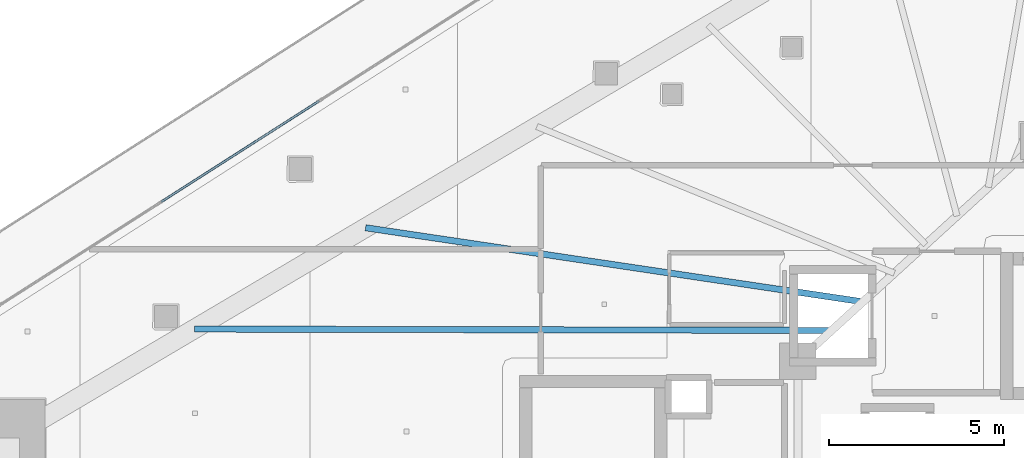
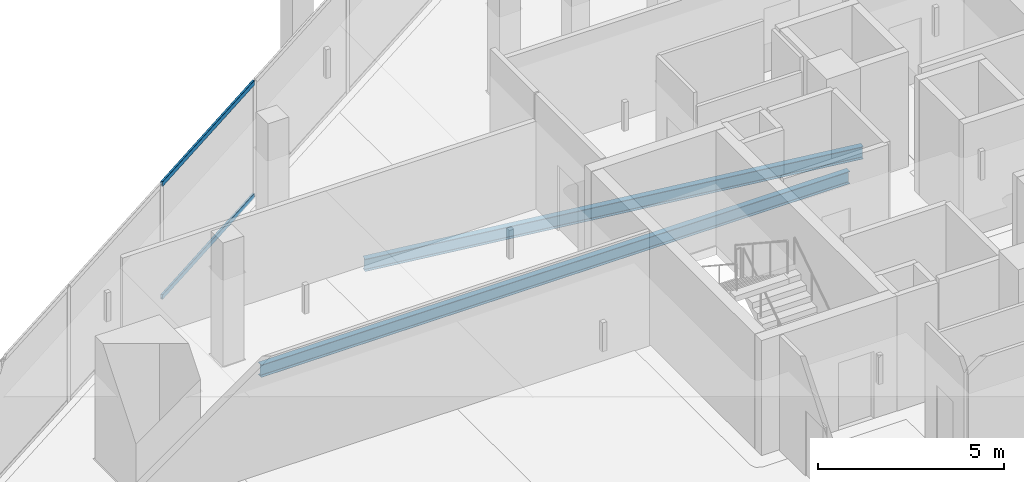
# One storey, part 14 of 42: 2 beams, 2 members, 1 element without a shape of its own.
"""IFC4 building model written with IfcOpenShell, lengths in metres."""

from ifc_helpers import new_model, si_unit, direction, frame, origin, origin_2d, place, context, subcontext, project, spatial, hollow_rectangle, i_section, extrude, material, layer, layer_set, material_profile, profile_set, type_object, element, aggregate, save


model = new_model("IFC4")

# Units and contexts
model_context = context("Model", 3, precision=1e-05, world=origin(), true_north=direction((0.0, 1.0)))
body_context = subcontext(model_context, "Body", "Model", "MODEL_VIEW")
ifc_project = project(units=[si_unit("LENGTHUNIT", "METRE"), si_unit("AREAUNIT", "SQUARE_METRE"), si_unit("VOLUMEUNIT", "CUBIC_METRE"), si_unit("PLANEANGLEUNIT", "RADIAN"), si_unit("MASSUNIT", "GRAM", prefix="KILO")], contexts=[model_context])

# Site, building, storey
site_placement = place(None, origin())
site = spatial("IfcSite", under=ifc_project, at=site_placement, CompositionType="ELEMENT")
building_placement = place(site_placement, origin())
building = spatial("IfcBuilding", under=site, at=building_placement, Name="Qorvath Tower", CompositionType="ELEMENT")
storey_placement = place(building_placement, frame((0.0, 0.0, 117.89990234375)))
storey = spatial("IfcBuildingStorey", under=building, at=storey_placement, Name="L26", CompositionType="ELEMENT", Elevation=117.89990234375)

# Beams
ifc_material_1 = material(Name="Steel ASTM A992 Grade 50", Category="steel")
ifc_material_profile_1 = material_profile(ifc_material_1, i_section(OverallWidth=0.177978515625, OverallDepth=0.406005859375, WebThickness=0.0078125, FlangeThickness=0.0126953125, FilletRadius=0.010986328125, at=origin_2d()), Name="W16x40")
ifc_profile_set_1 = profile_set([ifc_material_profile_1], Name="Steel ASTM A992 Grade 50")
beam_type = type_object("IfcBeamType", Name="BM-FJ3", PredefinedType="JOIST", material=ifc_profile_set_1)
beam_1_placement = place(storey_placement, frame((-29.533935546875, 6.031982421875, -0.48291015625), z_axis=(-0.999997589883, 0.002195501951, 0.0), x_axis=(-0.002195501951, -0.999997589883, 0.0)))
element("IfcBeam", 1, at=beam_1_placement, inside=storey, type_object=beam_type, Name="Composite Floor Joist NW1 L26", PredefinedType="JOIST", context=body_context, shape_type="SweptSolid", body=[
    extrude(i_section(OverallWidth=0.177978515625, OverallDepth=0.406005859375, WebThickness=0.0078125, FlangeThickness=0.0126953125, FilletRadius=0.010986328125, at=origin_2d()), origin(), (0.0, 0.0, 1.0), 18.23681640625),
])
beam_2_placement = place(storey_placement, frame((-28.636962890625, 6.85107421875, -0.48291015625), z_axis=(-0.989092860328, 0.147293291256, 0.0), x_axis=(-0.147293291256, -0.989092860328, 0.0)))
element("IfcBeam", 2, at=beam_2_placement, inside=storey, type_object=beam_type, Name="Composite Floor Joist NW2 L26", PredefinedType="JOIST", context=body_context, shape_type="SweptSolid", body=[
    extrude(i_section(OverallWidth=0.177978515625, OverallDepth=0.406005859375, WebThickness=0.0078125, FlangeThickness=0.0126953125, FilletRadius=0.010986328125, at=origin_2d()), origin(), (0.0, 0.0, 1.0), 14.388916015625),
])

# Curtain wall, members
ifc_material_2 = material(Name="Anodised aluminium and triple low-E glass", Category="aluminium")
ifc_layer = layer(ifc_material_2, 0.179931640625)
ifc_layer_set = layer_set([ifc_layer], Name="CW-SYS-2")
curtain_wall_type = type_object("IfcCurtainWallType", Name="CW-SYS-2", PredefinedType="NOTDEFINED", material=ifc_layer_set)
curtain_wall_placement = place(storey_placement, origin())
curtain_wall = element("IfcCurtainWall", 3, at=curtain_wall_placement, inside=storey, type_object=curtain_wall_type, Name="Curtain Wall CW-2 CW-T-L26-16.3", PredefinedType="NOTDEFINED")
ifc_material_3 = material(Name="Anodised aluminium 6063-T6", Category="aluminium")
ifc_material_profile_2 = material_profile(ifc_material_3, hollow_rectangle(XDim=0.06494140625, YDim=0.159912109375, WallThickness=0.00341796875, InnerFilletRadius=0.00341796875, OuterFilletRadius=0.007080078125, at=origin_2d()), Name="CWT 160x65")
ifc_profile_set_2 = profile_set([ifc_material_profile_2], Name="Anodised aluminium 6063-T6")
member_type = type_object("IfcMemberType", Name="CWT-160", PredefinedType="USERDEFINED", material=ifc_profile_set_2)
member_1_placement = place(storey_placement, frame((-44.200439453125, 12.597412109375, 0.032470703125), z_axis=(-0.842621067422, -0.538506951428, 0.0), x_axis=(0.538506951428, -0.842621067422, 0.0)))
member_1 = element("IfcMember", 4, at=member_1_placement, type_object=member_type, Name="CW-2 transom 3.1", ObjectType="TRANSOM", PredefinedType="USERDEFINED", context=body_context, shape_type="SweptSolid", body=[
    extrude(hollow_rectangle(XDim=0.06494140625, YDim=0.159912109375, WallThickness=0.00341796875, InnerFilletRadius=0.00341796875, OuterFilletRadius=0.007080078125, at=origin_2d()), origin(), (0.0, 0.0, 1.0), 5.361083984375),
])
member_2_placement = place(storey_placement, frame((-44.200439453125, 12.597412109375, 3.737548828125), z_axis=(-0.842621067422, -0.538506951428, 0.0), x_axis=(0.538506951428, -0.842621067422, 0.0)))
member_2 = element("IfcMember", 5, at=member_2_placement, type_object=member_type, Name="CW-2 transom 3.2", ObjectType="TRANSOM", PredefinedType="USERDEFINED", context=body_context, shape_type="SweptSolid", body=[
    extrude(hollow_rectangle(XDim=0.06494140625, YDim=0.159912109375, WallThickness=0.00341796875, InnerFilletRadius=0.00341796875, OuterFilletRadius=0.007080078125, at=origin_2d()), origin(), (0.0, 0.0, 1.0), 5.361083984375),
])
aggregate(curtain_wall, [member_1, member_2])

save(model, "model.ifc")
